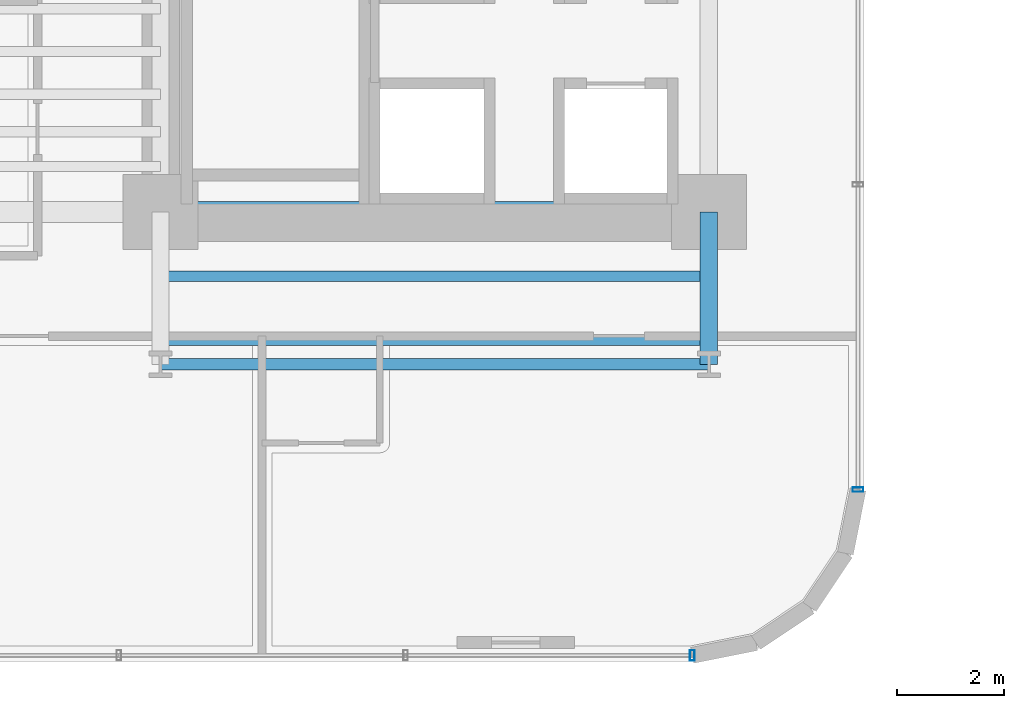
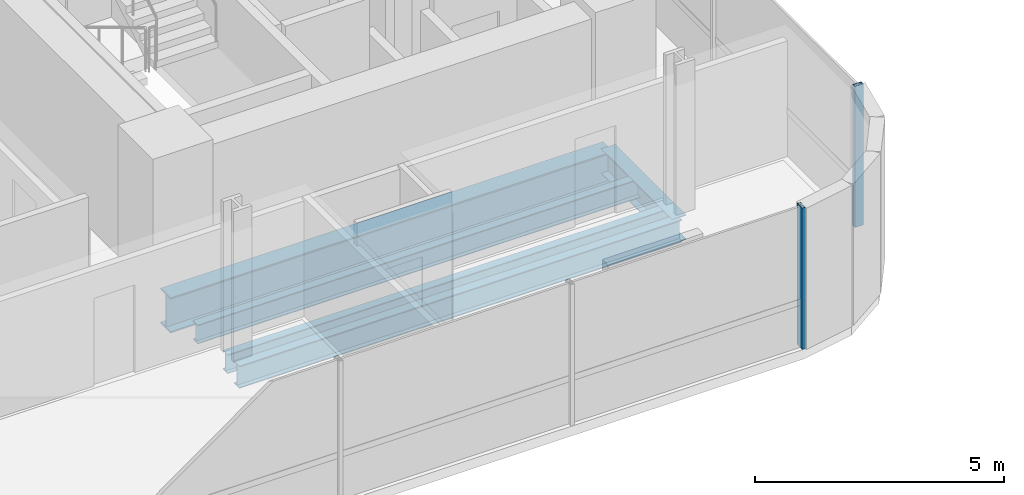
# One storey, part 5 of 41: 5 beams, 2 members, 2 elements without a shape of their own.
"""IFC4 building model written with IfcOpenShell, lengths in metres."""

import ifcopenshell
import ifcopenshell.guid

model = None  # the IFC model being written
_history = None  # IfcOwnerHistory: only IFC2X3 demands one
_inside = {}  # id of a spatial element -> (the spatial element, [elements in it])
_under = {}  # id of a project, library or spatial element -> (it, [spatial elements below it])
_declared = {}  # id of a project -> (the project, [libraries it declares])
_typed = {}  # id of a type object -> (the type object, [elements of that type])
_made_of = {}  # id of a material, layer set ... -> (it, [elements and type objects made of it])


def new_model(schema):
    """Start an empty IFC model of exactly this schema.

    Asked for "IFC4X3", IfcOpenShell would pick the latest addendum, in which some entities
    have other attributes; the version numbers below select the first issue.
    IFC2X3 requires an IfcOwnerHistory on every rooted entity: one is made here for all.
    """
    global model, _history
    if schema == "IFC4X3":
        model = ifcopenshell.file(schema_version=(4, 3, 0, 0))
    else:
        model = ifcopenshell.file(schema=schema)
    _inside.clear()
    _under.clear()
    _declared.clear()
    _typed.clear()
    _made_of.clear()
    _history = None
    if model.schema == "IFC2X3":
        org = make("IfcOrganization", Name="unknown")
        user = make(
            "IfcPersonAndOrganization",
            ThePerson=make("IfcPerson", FamilyName="unknown"),
            TheOrganization=org,
        )
        app = make(
            "IfcApplication",
            ApplicationDeveloper=org,
            Version="unknown",
            ApplicationFullName="unknown",
            ApplicationIdentifier="unknown",
        )
        _history = make(
            "IfcOwnerHistory",
            OwningUser=user,
            OwningApplication=app,
            ChangeAction="ADDED",
            CreationDate=0,
        )
    return model


def make(cls, **values):
    """One entity of the class cls with the attributes given. An attribute that is None is left unset."""
    return model.create_entity(
        cls, **{name: value for name, value in values.items() if value is not None}
    )


def rooted(cls, **values):
    """An entity with a GlobalId (a new one), such as an element, a storey or a relation."""
    return make(cls, GlobalId=ifcopenshell.guid.new(), OwnerHistory=_history, **values)


def si_unit(unit_type, name, prefix=None):
    """IfcSIUnit, for example si_unit("LENGTHUNIT", "METRE", prefix="MILLI")."""
    return make("IfcSIUnit", UnitType=unit_type, Prefix=prefix, Name=name)


def assignment(units):
    """IfcUnitAssignment: the units of a project."""
    return None if units is None else make("IfcUnitAssignment", Units=units)


def point(xyz):
    """IfcCartesianPoint."""
    return None if xyz is None else make("IfcCartesianPoint", Coordinates=xyz)


def direction(xyz):
    """IfcDirection."""
    return None if xyz is None else make("IfcDirection", DirectionRatios=xyz)


def frame(location, z_axis=None, x_axis=None):
    """IfcAxis2Placement3D, a coordinate frame: its origin and axes. An axis left out is left unset."""
    return make(
        "IfcAxis2Placement3D",
        Location=point(location),
        Axis=direction(z_axis),
        RefDirection=direction(x_axis),
    )


def frame_2d(location, x_axis=None):
    """IfcAxis2Placement2D, a coordinate frame in the plane: its origin and x axis."""
    return make(
        "IfcAxis2Placement2D", Location=point(location), RefDirection=direction(x_axis)
    )


def origin():
    """The frame at (0, 0, 0) with its axes left unset."""
    return frame((0.0, 0.0, 0.0))


def origin_2d():
    """The frame at (0, 0) in the plane with its x axis left unset."""
    return frame_2d((0.0, 0.0))


def place(relative_to, where):
    """IfcLocalPlacement: puts the frame where relative to a parent placement (None: the world)."""
    return make(
        "IfcLocalPlacement", PlacementRelTo=relative_to, RelativePlacement=where
    )


def context(
    kind, dimensions, precision=None, world=None, true_north=None, identifier=None
):
    """IfcGeometricRepresentationContext, for example the 3D "Model" context."""
    return make(
        "IfcGeometricRepresentationContext",
        ContextIdentifier=identifier,
        ContextType=kind,
        CoordinateSpaceDimension=dimensions,
        Precision=precision,
        WorldCoordinateSystem=world,
        TrueNorth=true_north,
    )


def subcontext(parent, identifier, kind, view, scale=None):
    """IfcGeometricRepresentationSubContext, for example "Body" below "Model"."""
    return make(
        "IfcGeometricRepresentationSubContext",
        ContextIdentifier=identifier,
        ContextType=kind,
        ParentContext=parent,
        TargetScale=scale,
        TargetView=view,
    )


def project(units=None, contexts=None):
    """IfcProject with its units and contexts."""
    return rooted(
        "IfcProject",
        Name="project",
        RepresentationContexts=contexts,
        UnitsInContext=assignment(units),
    )


def spatial(cls, under=None, at=None, **own):
    """A site, building, storey or space (cls), placed at a placement, below another one or the project."""
    s = rooted(cls, ObjectPlacement=at, **own)
    if under is not None:
        _under.setdefault(under.id(), (under, []))[1].append(s)
    return s


def profile(cls, at=None, kind="AREA", **sizes):
    """A parametric profile (cls). Its sizes go by their IFC names, for example OverallWidth=200.0."""
    return make(cls, ProfileType=kind, Position=at, **sizes)


def hollow_rectangle(**sizes):
    """IfcRectangleHollowProfileDef."""
    return profile("IfcRectangleHollowProfileDef", **sizes)


def i_section(**sizes):
    """IfcIShapeProfileDef."""
    return profile("IfcIShapeProfileDef", **sizes)


def extrude(swept, where, along, depth):
    """IfcExtrudedAreaSolid: the profile swept, set in the frame where, extruded along a direction by depth."""
    return make(
        "IfcExtrudedAreaSolid",
        SweptArea=swept,
        Position=where,
        ExtrudedDirection=direction(along),
        Depth=depth,
    )


def shape(context_of_items, identifier, shape_type, items):
    """IfcShapeRepresentation: the items that make up one representation, for example the "Body"."""
    return make(
        "IfcShapeRepresentation",
        ContextOfItems=context_of_items,
        RepresentationIdentifier=identifier,
        RepresentationType=shape_type,
        Items=items,
    )


def source(mapping_origin, context_of_items, identifier, shape_type, items):
    """IfcRepresentationMap: a shape defined once, which mapped items show again and again."""
    return make(
        "IfcRepresentationMap",
        MappingOrigin=mapping_origin,
        MappedRepresentation=shape(context_of_items, identifier, shape_type, items),
    )


def transform(
    local_origin,
    x_axis=None,
    y_axis=None,
    z_axis=None,
    scale=None,
    scale2=None,
    scale3=None,
    uniform=True,
):
    """IfcCartesianTransformationOperator3D, or its non-uniform kind. x_axis, y_axis, z_axis: its Axis1, 2, 3."""
    if uniform:
        return make(
            "IfcCartesianTransformationOperator3D",
            Axis1=direction(x_axis),
            Axis2=direction(y_axis),
            LocalOrigin=point(local_origin),
            Scale=scale,
            Axis3=direction(z_axis),
        )
    return make(
        "IfcCartesianTransformationOperator3DnonUniform",
        Axis1=direction(x_axis),
        Axis2=direction(y_axis),
        LocalOrigin=point(local_origin),
        Scale=scale,
        Axis3=direction(z_axis),
        Scale2=scale2,
        Scale3=scale3,
    )


def mapped(mapping_source, mapping_target):
    """IfcMappedItem: shows the shape of a source again, moved by a transform."""
    return make(
        "IfcMappedItem", MappingSource=mapping_source, MappingTarget=mapping_target
    )


def material(Name=None, Category=None):
    """IfcMaterial."""
    return make("IfcMaterial", Name=Name, Category=Category)


def material_profile(
    of_material, cross_section, Name=None, Category=None, Priority=None
):
    """IfcMaterialProfile: a cross section and its material."""
    return make(
        "IfcMaterialProfile",
        Name=Name,
        Material=of_material,
        Profile=cross_section,
        Priority=Priority,
        Category=Category,
    )


def profile_set(profiles, Name=None, composite=None):
    """IfcMaterialProfileSet."""
    return make(
        "IfcMaterialProfileSet",
        Name=Name,
        MaterialProfiles=profiles,
        CompositeProfile=composite,
    )


def made_of(thing, what):
    """Note that an element or type object is made of a material, layer set ...; save() writes the relation."""
    if what is not None:
        _made_of.setdefault(what.id(), (what, []))[1].append(thing)
    return thing


def type_object(cls, material=None, **own):
    """A type object (cls), such as IfcWallType, which elements share."""
    return made_of(rooted(cls, **own), material)


def element(
    cls,
    number,
    at=None,
    inside=None,
    cuts=None,
    type_object=None,
    material=None,
    context=None,
    identifier="Body",
    shape_type=None,
    held_by="IfcProductDefinitionShape",
    body=None,
    shapes=None,
    **own,
):
    """One element of the class cls, such as IfcWall. Its Tag is "e" and its number.

    at: its placement. inside: the storey or other place that contains it. cuts: it is an
    opening in that element (IfcRelVoidsElement). A single representation is given by context,
    identifier, shape_type and body (its items); several are given by shapes. held_by: the class
    of the entity that holds the representations. save() writes the other relations.
    """
    e = rooted(cls, Tag="e%d" % number, ObjectPlacement=at, **own)
    if body is not None:
        shapes = [shape(context, identifier, shape_type, body)]
    if shapes is not None:
        e.Representation = make(held_by, Representations=shapes)
    if inside is not None:
        _inside.setdefault(inside.id(), (inside, []))[1].append(e)
    if cuts is not None:
        rooted(
            "IfcRelVoidsElement", RelatingBuildingElement=cuts, RelatedOpeningElement=e
        )
    if type_object is not None:
        _typed.setdefault(type_object.id(), (type_object, []))[1].append(e)
    return made_of(e, material)


def aggregate(whole, parts):
    """IfcRelAggregates: a whole, such as a stair, and the parts it consists of."""
    return rooted("IfcRelAggregates", RelatingObject=whole, RelatedObjects=parts)


def save(model, path):
    """Write the relations noted so far, then the file.

    IfcRelAggregates (storeys below a building ...), IfcRelContainedInSpatialStructure (elements
    in a storey), IfcRelDefinesByType, IfcRelAssociatesMaterial and IfcRelDeclares: one each for
    every whole, place, type object, material and project.
    """
    for whole, parts in _under.values():
        aggregate(whole, parts)
    for where, things in _inside.values():
        rooted(
            "IfcRelContainedInSpatialStructure",
            RelatedElements=things,
            RelatingStructure=where,
        )
    for kind, things in _typed.values():
        rooted("IfcRelDefinesByType", RelatedObjects=things, RelatingType=kind)
    for what, things in _made_of.values():
        rooted("IfcRelAssociatesMaterial", RelatedObjects=things, RelatingMaterial=what)
    for by, libraries in _declared.values():
        rooted("IfcRelDeclares", RelatingContext=by, RelatedDefinitions=libraries)
    model.write(path)


model = new_model("IFC4")

# Units and contexts
model_context = context("Model", 3, precision=1e-05, world=origin(), true_north=direction((0.0, 1.0)))
body_context = subcontext(model_context, "Body", "Model", "MODEL_VIEW")
ifc_project = project(units=[si_unit("LENGTHUNIT", "METRE"), si_unit("AREAUNIT", "SQUARE_METRE"), si_unit("VOLUMEUNIT", "CUBIC_METRE"), si_unit("PLANEANGLEUNIT", "RADIAN"), si_unit("MASSUNIT", "GRAM", prefix="KILO")], contexts=[model_context])

# Site, building, storey
site_placement = place(None, origin())
site = spatial("IfcSite", under=ifc_project, at=site_placement, CompositionType="ELEMENT")
building_placement = place(site_placement, origin())
building = spatial("IfcBuilding", under=site, at=building_placement, Name="Valdorenza Pilgrim Sanctuary Tower", CompositionType="ELEMENT")
storey_placement = place(building_placement, frame((0.0, 0.0, 59.300048828125)))
storey = spatial("IfcBuildingStorey", under=building, at=storey_placement, Name="L14", CompositionType="ELEMENT", Elevation=59.300048828125)

# Beams
ifc_material_1 = material(Name="Steel ASTM A992 Grade 50", Category="steel")
ifc_material_profile_1 = material_profile(ifc_material_1, i_section(OverallWidth=0.214111328125, OverallDepth=0.549072265625, WebThickness=0.0146484375, FlangeThickness=0.023681640625, at=origin_2d()), Name="W21X93")
ifc_profile_set_1 = profile_set([ifc_material_profile_1], Name="Steel ASTM A992 Grade 50")
beam_type_1 = type_object("IfcBeamType", Name="STR-BM-SPN-W21A", PredefinedType="SPANDREL", material=ifc_profile_set_1)
shared_shape_1 = source(origin(), body_context, "Body", "SweptSolid", [
    extrude(i_section(OverallWidth=0.214111328125, OverallDepth=0.549072265625, WebThickness=0.0146484375, FlangeThickness=0.023681640625, at=origin_2d()), origin(), (0.0, 0.0, 1.0), 10.25),
])
beam_1_placement = place(storey_placement, frame((-22.64990234375, -13.449951171875, -0.5146484375), z_axis=(1.0, 0.0, 0.0), x_axis=(0.0, 1.0, 0.0)))
element("IfcBeam", 1, at=beam_1_placement, inside=storey, type_object=beam_type_1, Name="L14 South Spandrel WA-S-TIE", PredefinedType="SPANDREL", context=body_context, shape_type="MappedRepresentation", body=[
    mapped(shared_shape_1, transform((0.0, 0.0, 0.0), x_axis=(1.0, 0.0, 0.0), y_axis=(0.0, 1.0, 0.0), z_axis=(0.0, 0.0, 1.0), scale=1.0)),
])
ifc_material_profile_2 = material_profile(ifc_material_1, i_section(OverallWidth=0.323974609375, OverallDepth=0.611083984375, WebThickness=0.0126953125, FlangeThickness=0.01904296875, at=origin_2d()), Name="W24X104")
ifc_profile_set_2 = profile_set([ifc_material_profile_2], Name="Steel ASTM A992 Grade 50")
beam_type_2 = type_object("IfcBeamType", Name="STR-BM-GRD-W24B", PredefinedType="BEAM", material=ifc_profile_set_2)
shared_shape_2 = source(origin(), body_context, "Body", "SweptSolid", [
    extrude(i_section(OverallWidth=0.323974609375, OverallDepth=0.611083984375, WebThickness=0.0126953125, FlangeThickness=0.01904296875, at=origin_2d()), origin(), (0.0, 0.0, 1.0), 2.849853515625),
])
beam_2_placement = place(storey_placement, frame((-12.39990234375, -13.449951171875, -0.545654296875), z_axis=(0.0, 1.0, 0.0), x_axis=(-1.0, 0.0, 0.0)))
element("IfcBeam", 2, at=beam_2_placement, inside=storey, type_object=beam_type_2, Name="L14 Floor Girder WA-S-LE", PredefinedType="BEAM", context=body_context, shape_type="MappedRepresentation", body=[
    mapped(shared_shape_2, transform((0.0, 0.0, 0.0), x_axis=(1.0, 0.0, 0.0), y_axis=(0.0, 1.0, 0.0), z_axis=(0.0, 0.0, 1.0), scale=1.0)),
])
ifc_material_profile_3 = material_profile(ifc_material_1, i_section(OverallWidth=0.193115234375, OverallDepth=0.466064453125, WebThickness=0.011474609375, FlangeThickness=0.01904296875, at=origin_2d()), Name="W18X65")
ifc_profile_set_3 = profile_set([ifc_material_profile_3], Name="Steel ASTM A992 Grade 50")
beam_type_3 = type_object("IfcBeamType", Name="STR-BM-JST-W18A", PredefinedType="JOIST", material=ifc_profile_set_3)
shared_shape_3 = source(origin(), body_context, "Body", "SweptSolid", [
    extrude(i_section(OverallWidth=0.193115234375, OverallDepth=0.466064453125, WebThickness=0.011474609375, FlangeThickness=0.01904296875, at=origin_2d()), origin(), (0.0, 0.0, 1.0), 10.25),
])
for number, where, z_axis, x_axis, name in (
    (3, (-22.64990234375, -13.0, -0.47314453125), (1.0, 0.0, 0.0), (0.0, 1.0, 0.0), "L14 Composite Floor Joist JST-WAS-1"),
    (4, (-22.64990234375, -11.800048828125, -0.47314453125), (1.0, 0.0, 0.0), (0.0, 1.0, 0.0), "L14 Composite Floor Joist JST-WAS-2"),
):
    element("IfcBeam", number, at=place(storey_placement, frame(where, z_axis=z_axis, x_axis=x_axis)), inside=storey, type_object=beam_type_3, Name=name, PredefinedType="JOIST", context=body_context, shape_type="MappedRepresentation", body=[
        mapped(shared_shape_3, transform((0.0, 0.0, 0.0), x_axis=(1.0, 0.0, 0.0), y_axis=(0.0, 1.0, 0.0), z_axis=(0.0, 0.0, 1.0), scale=1.0)),
    ])
ifc_material_profile_4 = material_profile(ifc_material_1, i_section(OverallWidth=0.39990234375, OverallDepth=0.862060546875, WebThickness=0.019775390625, FlangeThickness=0.032470703125, at=origin_2d()), Name="W33X221")
ifc_profile_set_4 = profile_set([ifc_material_profile_4], Name="Steel ASTM A992 Grade 50")
beam_type_4 = type_object("IfcBeamType", Name="STR-BM-GRD-W33", PredefinedType="BEAM", material=ifc_profile_set_4)
shared_shape_4 = source(origin(), body_context, "Body", "SweptSolid", [
    extrude(i_section(OverallWidth=0.39990234375, OverallDepth=0.862060546875, WebThickness=0.019775390625, FlangeThickness=0.032470703125, at=origin_2d()), origin(), (0.0, 0.0, 1.0), 10.25),
])
beam_3_placement = place(storey_placement, frame((-22.64990234375, -10.60009765625, -0.671142578125), z_axis=(1.0, 0.0, 0.0), x_axis=(0.0, 1.0, 0.0)))
element("IfcBeam", 5, at=beam_3_placement, inside=storey, type_object=beam_type_4, Name="L14 Floor Girder CA-XC-S1", PredefinedType="BEAM", context=body_context, shape_type="MappedRepresentation", body=[
    mapped(shared_shape_4, transform((0.0, 0.0, 0.0), x_axis=(1.0, 0.0, 0.0), y_axis=(0.0, 1.0, 0.0), z_axis=(0.0, 0.0, 1.0), scale=1.0)),
])

# Curtain wall, member
ifc_material_2 = material(Name="Curtain-wall IGU glazing", Category="glass")
curtain_wall_type = type_object("IfcCurtainWallType", Name="CW-SYS-02", PredefinedType="NOTDEFINED", material=ifc_material_2)
curtain_wall_1_placement = place(storey_placement, origin())
curtain_wall_1 = element("IfcCurtainWall", 6, at=curtain_wall_1_placement, inside=storey, type_object=curtain_wall_type, Name="L14 Curtain Wall CW-L14-1-41", PredefinedType="NOTDEFINED")
ifc_material_3 = material(Name="Anodised aluminium AW-6060", Category="aluminium")
ifc_material_profile_5 = material_profile(ifc_material_3, hollow_rectangle(XDim=0.0849609375, YDim=0.199951171875, WallThickness=0.0048828125, at=origin_2d()), Name="ALU-M 200x85x5")
ifc_profile_set_5 = profile_set([ifc_material_profile_5], Name="Anodised aluminium AW-6060")
member_type = type_object("IfcMemberType", Name="CW-MUL-02", PredefinedType="MULLION", material=ifc_profile_set_5)
shared_shape_5 = source(origin(), body_context, "Body", "SweptSolid", [
    extrude(hollow_rectangle(XDim=0.0849609375, YDim=0.199951171875, WallThickness=0.0048828125, at=origin_2d()), origin(), (0.0, 0.0, 1.0), 3.4599609375),
])
member_1_placement = place(storey_placement, frame((-9.610107421875, -15.789306640625, 0.0), z_axis=(0.0, 0.0, 1.0), x_axis=(0.0, -1.0, 0.0)))
member_1 = element("IfcMember", 7, at=member_1_placement, type_object=member_type, Name="CW-L14-1-41 Mullion 5", PredefinedType="MULLION", context=body_context, shape_type="MappedRepresentation", body=[
    mapped(shared_shape_5, transform((0.0, 0.0, 0.0), x_axis=(1.0, 0.0, 0.0), y_axis=(0.0, 1.0, 0.0), z_axis=(0.0, 0.0, 1.0), scale=1.0)),
])
aggregate(curtain_wall_1, [member_1])

curtain_wall_2_placement = place(storey_placement, origin())
curtain_wall_2 = element("IfcCurtainWall", 8, at=curtain_wall_2_placement, inside=storey, type_object=curtain_wall_type, Name="L14 Curtain Wall CW-L14-1-46", PredefinedType="NOTDEFINED")
member_2_placement = place(storey_placement, frame((-12.710693359375, -18.889892578125, 0.0), z_axis=(0.0, 0.0, 1.0), x_axis=(-1.0, 0.0, 0.0)))
member_2 = element("IfcMember", 9, at=member_2_placement, type_object=member_type, Name="CW-L14-1-46 Mullion 1", PredefinedType="MULLION", context=body_context, shape_type="MappedRepresentation", body=[
    mapped(shared_shape_5, transform((0.0, 0.0, 0.0), x_axis=(1.0, 0.0, 0.0), y_axis=(0.0, 1.0, 0.0), z_axis=(0.0, 0.0, 1.0), scale=1.0)),
])
aggregate(curtain_wall_2, [member_2])

save(model, "model.ifc")
